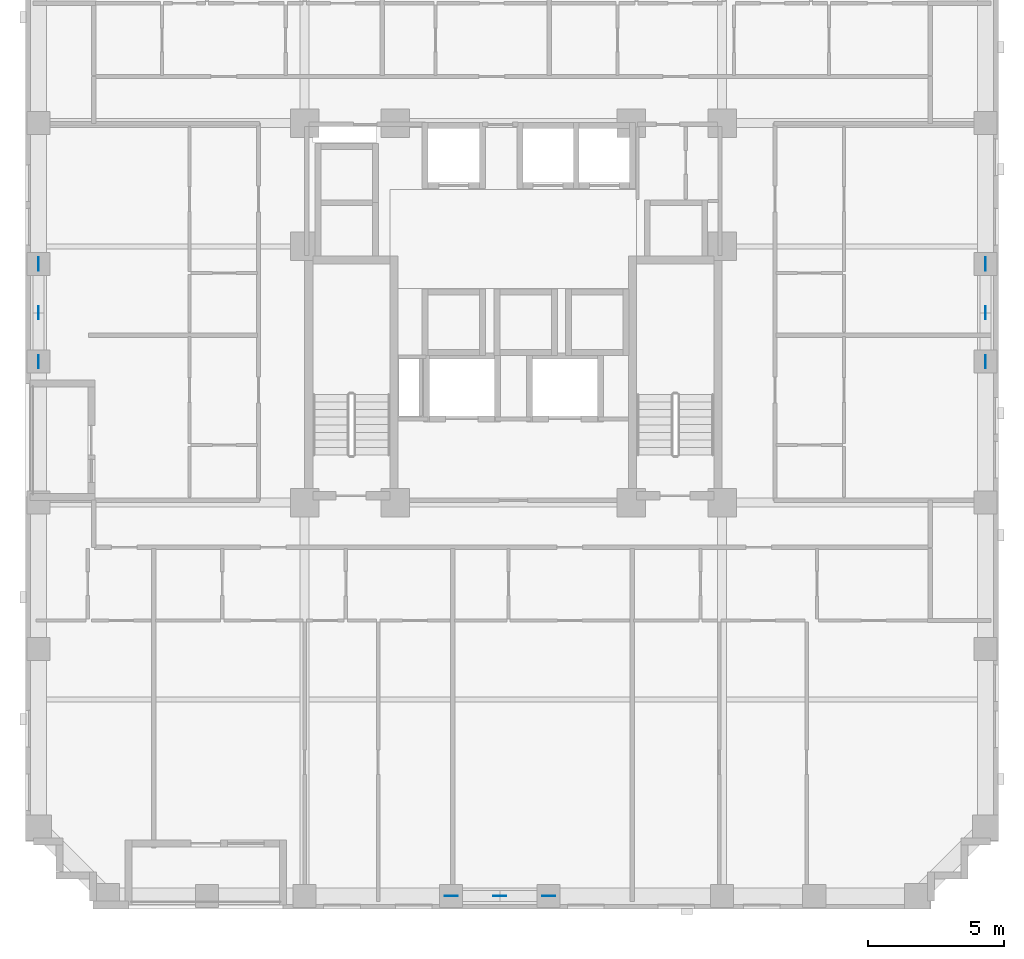
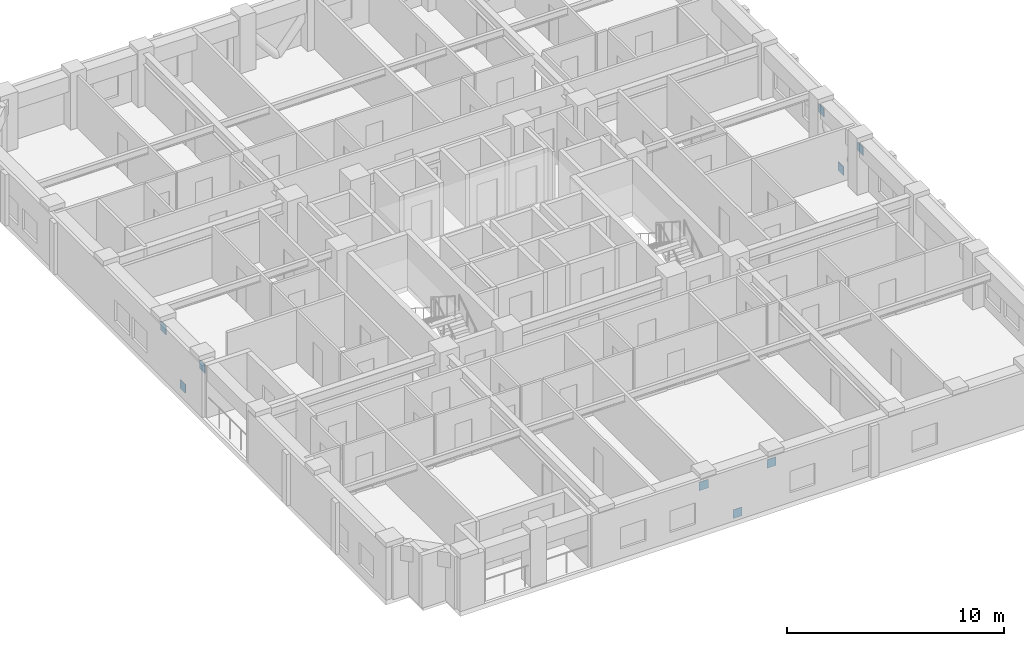
# One storey, part 9 of 12: 9 discrete accessories.
"""IFC4 building model written with IfcOpenShell, lengths in metres."""

from ifc_helpers import new_model, si_unit, derived_unit, direction, frame, origin, origin_2d, place, context, subcontext, project, spatial, rectangle, extrude, material, layer, layer_set, type_object, element, save


model = new_model("IFC4")

# Units and contexts
model_context = context("Model", 3, precision=1e-05, world=origin(), true_north=direction((0.0, 1.0)))
body_context = subcontext(model_context, "Body", "Model", "MODEL_VIEW")
ifc_project = project(units=[si_unit("LENGTHUNIT", "METRE"), si_unit("AREAUNIT", "SQUARE_METRE"), si_unit("VOLUMEUNIT", "CUBIC_METRE"), si_unit("PLANEANGLEUNIT", "RADIAN"), si_unit("MASSUNIT", "GRAM", prefix="KILO"), derived_unit("THERMALTRANSMITTANCEUNIT", [(si_unit("MASSUNIT", "GRAM", prefix="KILO"), 1), (si_unit("TIMEUNIT", "SECOND"), -3), (si_unit("THERMODYNAMICTEMPERATUREUNIT", "KELVIN"), -1)])], contexts=[model_context])

# Site, building, storey
site_placement = place(None, origin())
site = spatial("IfcSite", under=ifc_project, at=site_placement, CompositionType="ELEMENT")
building_placement = place(site_placement, origin())
building = spatial("IfcBuilding", under=site, at=building_placement, Name="Korrvale Station Residences", CompositionType="ELEMENT")
storey_placement = place(building_placement, frame((0.0, 0.0, 91.10009765625)))
storey = spatial("IfcBuildingStorey", under=building, at=storey_placement, Name="L25", CompositionType="ELEMENT", Elevation=91.10009765625)

# Discrete accessories
ifc_material = material(Name="Steel S355", Category="steel")
ifc_layer = layer(ifc_material, 0.02490234375, Name="Steel S355")
ifc_layer_set = layer_set([ifc_layer], Name="Steel S355")
discrete_accessory_type = type_object("IfcDiscreteAccessoryType", Name="ACC-GUSSET-25", PredefinedType="BRACKET", material=ifc_layer_set)
for number, where, z_axis, x_axis, name in (
    (1, (25.0, 0.47998046875, -0.219970703125), (0.0, 0.0, 1.0), (1.0, 0.0, 0.0), "L25 S Brace End Gusset Connection M"),
    (2, (23.199951171875, 0.47998046875, 1.969970703125), (0.0, 0.0, 1.0), (1.0, 0.0, 0.0), "L25 S Brace End Gusset Connection A"),
    (3, (26.800048828125, 0.47998046875, 1.969970703125), (0.0, 0.0, 1.0), (1.0, 0.0, 0.0), "L25 S Brace End Gusset Connection B"),
    (4, (7.97998046875, 22.0, -0.219970703125), (0.0, 0.0, 1.0), (0.0, 1.0, 0.0), "L25 W Brace End Gusset Connection M"),
    (5, (7.97998046875, 20.199951171875, 1.969970703125), (0.0, 0.0, 1.0), (0.0, 1.0, 0.0), "L25 W Brace End Gusset Connection A"),
    (6, (7.97998046875, 23.800048828125, 1.969970703125), (0.0, 0.0, 1.0), (0.0, 1.0, 0.0), "L25 W Brace End Gusset Connection B"),
    (7, (42.919921875, 22.0, -0.219970703125), (0.0, 0.0, 1.0), (0.0, 1.0, 0.0), "L25 E Brace End Gusset Connection M"),
    (8, (42.919921875, 20.199951171875, 1.969970703125), (0.0, 0.0, 1.0), (0.0, 1.0, 0.0), "L25 E Brace End Gusset Connection A"),
    (9, (42.919921875, 23.800048828125, 1.969970703125), (0.0, 0.0, 1.0), (0.0, 1.0, 0.0), "L25 E Brace End Gusset Connection B"),
):
    element("IfcDiscreteAccessory", number, at=place(storey_placement, frame(where, z_axis=z_axis, x_axis=x_axis)), inside=storey, type_object=discrete_accessory_type, Name=name, PredefinedType="BRACKET", context=body_context, shape_type="SweptSolid", body=[
        extrude(rectangle(XDim=0.47998046875, YDim=0.02490234375, at=origin_2d()), origin(), (0.0, 0.0, 1.0), 0.47998046875),
    ])

save(model, "model.ifc")
